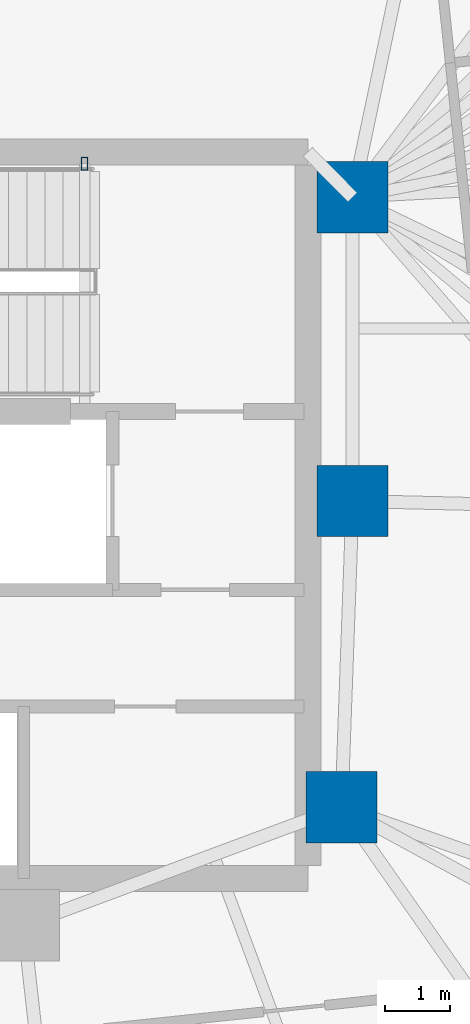
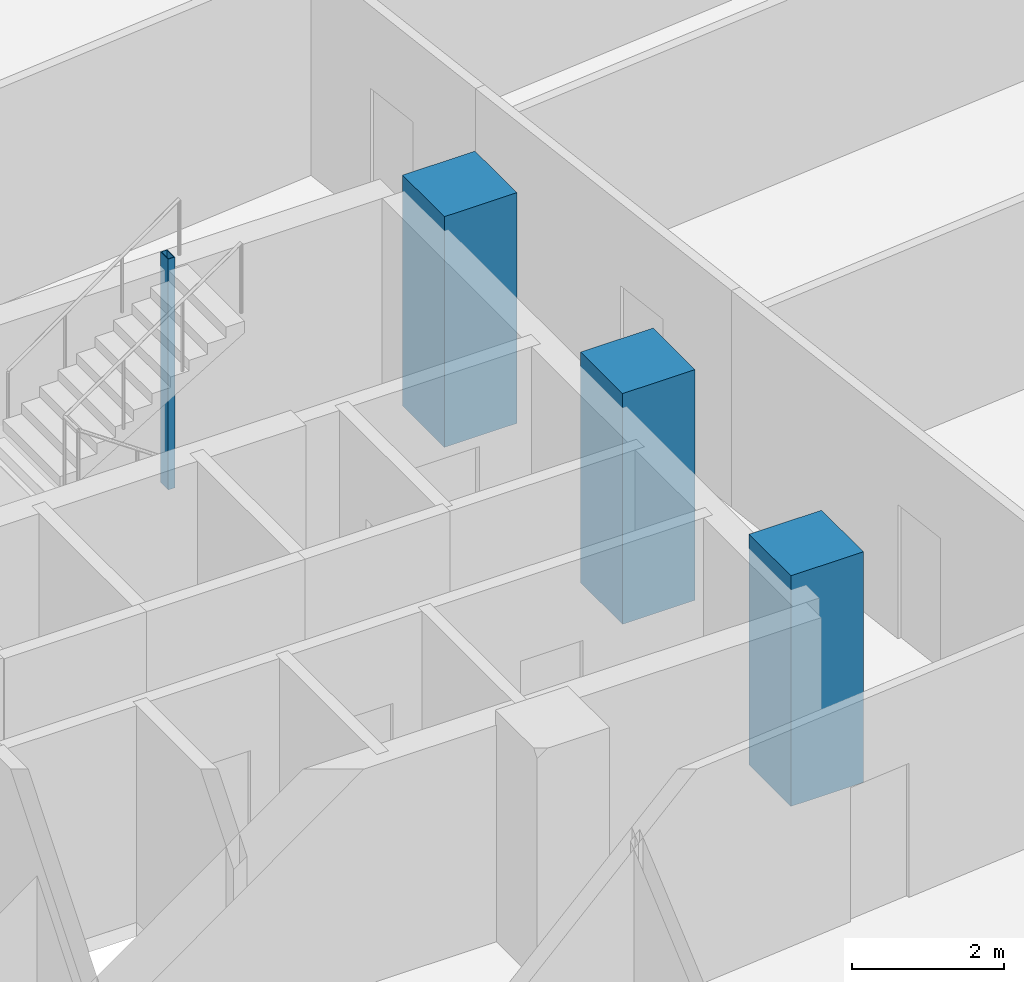
# One storey, part 4 of 18: 4 columns.
"""IFC4 building model written with IfcOpenShell, lengths in metres."""

import ifcopenshell
import ifcopenshell.guid

model = None  # the IFC model being written
_history = None  # IfcOwnerHistory: only IFC2X3 demands one
_inside = {}  # id of a spatial element -> (the spatial element, [elements in it])
_under = {}  # id of a project, library or spatial element -> (it, [spatial elements below it])
_declared = {}  # id of a project -> (the project, [libraries it declares])
_typed = {}  # id of a type object -> (the type object, [elements of that type])
_made_of = {}  # id of a material, layer set ... -> (it, [elements and type objects made of it])


def new_model(schema):
    """Start an empty IFC model of exactly this schema.

    Asked for "IFC4X3", IfcOpenShell would pick the latest addendum, in which some entities
    have other attributes; the version numbers below select the first issue.
    IFC2X3 requires an IfcOwnerHistory on every rooted entity: one is made here for all.
    """
    global model, _history
    if schema == "IFC4X3":
        model = ifcopenshell.file(schema_version=(4, 3, 0, 0))
    else:
        model = ifcopenshell.file(schema=schema)
    _inside.clear()
    _under.clear()
    _declared.clear()
    _typed.clear()
    _made_of.clear()
    _history = None
    if model.schema == "IFC2X3":
        org = make("IfcOrganization", Name="unknown")
        user = make(
            "IfcPersonAndOrganization",
            ThePerson=make("IfcPerson", FamilyName="unknown"),
            TheOrganization=org,
        )
        app = make(
            "IfcApplication",
            ApplicationDeveloper=org,
            Version="unknown",
            ApplicationFullName="unknown",
            ApplicationIdentifier="unknown",
        )
        _history = make(
            "IfcOwnerHistory",
            OwningUser=user,
            OwningApplication=app,
            ChangeAction="ADDED",
            CreationDate=0,
        )
    return model


def make(cls, **values):
    """One entity of the class cls with the attributes given. An attribute that is None is left unset."""
    return model.create_entity(
        cls, **{name: value for name, value in values.items() if value is not None}
    )


def rooted(cls, **values):
    """An entity with a GlobalId (a new one), such as an element, a storey or a relation."""
    return make(cls, GlobalId=ifcopenshell.guid.new(), OwnerHistory=_history, **values)


def si_unit(unit_type, name, prefix=None):
    """IfcSIUnit, for example si_unit("LENGTHUNIT", "METRE", prefix="MILLI")."""
    return make("IfcSIUnit", UnitType=unit_type, Prefix=prefix, Name=name)


def assignment(units):
    """IfcUnitAssignment: the units of a project."""
    return None if units is None else make("IfcUnitAssignment", Units=units)


def point(xyz):
    """IfcCartesianPoint."""
    return None if xyz is None else make("IfcCartesianPoint", Coordinates=xyz)


def direction(xyz):
    """IfcDirection."""
    return None if xyz is None else make("IfcDirection", DirectionRatios=xyz)


def frame(location, z_axis=None, x_axis=None):
    """IfcAxis2Placement3D, a coordinate frame: its origin and axes. An axis left out is left unset."""
    return make(
        "IfcAxis2Placement3D",
        Location=point(location),
        Axis=direction(z_axis),
        RefDirection=direction(x_axis),
    )


def frame_2d(location, x_axis=None):
    """IfcAxis2Placement2D, a coordinate frame in the plane: its origin and x axis."""
    return make(
        "IfcAxis2Placement2D", Location=point(location), RefDirection=direction(x_axis)
    )


def origin():
    """The frame at (0, 0, 0) with its axes left unset."""
    return frame((0.0, 0.0, 0.0))


def origin_2d():
    """The frame at (0, 0) in the plane with its x axis left unset."""
    return frame_2d((0.0, 0.0))


def place(relative_to, where):
    """IfcLocalPlacement: puts the frame where relative to a parent placement (None: the world)."""
    return make(
        "IfcLocalPlacement", PlacementRelTo=relative_to, RelativePlacement=where
    )


def context(
    kind, dimensions, precision=None, world=None, true_north=None, identifier=None
):
    """IfcGeometricRepresentationContext, for example the 3D "Model" context."""
    return make(
        "IfcGeometricRepresentationContext",
        ContextIdentifier=identifier,
        ContextType=kind,
        CoordinateSpaceDimension=dimensions,
        Precision=precision,
        WorldCoordinateSystem=world,
        TrueNorth=true_north,
    )


def subcontext(parent, identifier, kind, view, scale=None):
    """IfcGeometricRepresentationSubContext, for example "Body" below "Model"."""
    return make(
        "IfcGeometricRepresentationSubContext",
        ContextIdentifier=identifier,
        ContextType=kind,
        ParentContext=parent,
        TargetScale=scale,
        TargetView=view,
    )


def project(units=None, contexts=None):
    """IfcProject with its units and contexts."""
    return rooted(
        "IfcProject",
        Name="project",
        RepresentationContexts=contexts,
        UnitsInContext=assignment(units),
    )


def spatial(cls, under=None, at=None, **own):
    """A site, building, storey or space (cls), placed at a placement, below another one or the project."""
    s = rooted(cls, ObjectPlacement=at, **own)
    if under is not None:
        _under.setdefault(under.id(), (under, []))[1].append(s)
    return s


def profile(cls, at=None, kind="AREA", **sizes):
    """A parametric profile (cls). Its sizes go by their IFC names, for example OverallWidth=200.0."""
    return make(cls, ProfileType=kind, Position=at, **sizes)


def rectangle(**sizes):
    """IfcRectangleProfileDef."""
    return profile("IfcRectangleProfileDef", **sizes)


def hollow_rectangle(**sizes):
    """IfcRectangleHollowProfileDef."""
    return profile("IfcRectangleHollowProfileDef", **sizes)


def extrude(swept, where, along, depth):
    """IfcExtrudedAreaSolid: the profile swept, set in the frame where, extruded along a direction by depth."""
    return make(
        "IfcExtrudedAreaSolid",
        SweptArea=swept,
        Position=where,
        ExtrudedDirection=direction(along),
        Depth=depth,
    )


def shape(context_of_items, identifier, shape_type, items):
    """IfcShapeRepresentation: the items that make up one representation, for example the "Body"."""
    return make(
        "IfcShapeRepresentation",
        ContextOfItems=context_of_items,
        RepresentationIdentifier=identifier,
        RepresentationType=shape_type,
        Items=items,
    )


def material(Name=None, Category=None):
    """IfcMaterial."""
    return make("IfcMaterial", Name=Name, Category=Category)


def material_profile(
    of_material, cross_section, Name=None, Category=None, Priority=None
):
    """IfcMaterialProfile: a cross section and its material."""
    return make(
        "IfcMaterialProfile",
        Name=Name,
        Material=of_material,
        Profile=cross_section,
        Priority=Priority,
        Category=Category,
    )


def profile_set(profiles, Name=None, composite=None):
    """IfcMaterialProfileSet."""
    return make(
        "IfcMaterialProfileSet",
        Name=Name,
        MaterialProfiles=profiles,
        CompositeProfile=composite,
    )


def made_of(thing, what):
    """Note that an element or type object is made of a material, layer set ...; save() writes the relation."""
    if what is not None:
        _made_of.setdefault(what.id(), (what, []))[1].append(thing)
    return thing


def type_object(cls, material=None, **own):
    """A type object (cls), such as IfcWallType, which elements share."""
    return made_of(rooted(cls, **own), material)


def element(
    cls,
    number,
    at=None,
    inside=None,
    cuts=None,
    type_object=None,
    material=None,
    context=None,
    identifier="Body",
    shape_type=None,
    held_by="IfcProductDefinitionShape",
    body=None,
    shapes=None,
    **own,
):
    """One element of the class cls, such as IfcWall. Its Tag is "e" and its number.

    at: its placement. inside: the storey or other place that contains it. cuts: it is an
    opening in that element (IfcRelVoidsElement). A single representation is given by context,
    identifier, shape_type and body (its items); several are given by shapes. held_by: the class
    of the entity that holds the representations. save() writes the other relations.
    """
    e = rooted(cls, Tag="e%d" % number, ObjectPlacement=at, **own)
    if body is not None:
        shapes = [shape(context, identifier, shape_type, body)]
    if shapes is not None:
        e.Representation = make(held_by, Representations=shapes)
    if inside is not None:
        _inside.setdefault(inside.id(), (inside, []))[1].append(e)
    if cuts is not None:
        rooted(
            "IfcRelVoidsElement", RelatingBuildingElement=cuts, RelatedOpeningElement=e
        )
    if type_object is not None:
        _typed.setdefault(type_object.id(), (type_object, []))[1].append(e)
    return made_of(e, material)


def aggregate(whole, parts):
    """IfcRelAggregates: a whole, such as a stair, and the parts it consists of."""
    return rooted("IfcRelAggregates", RelatingObject=whole, RelatedObjects=parts)


def save(model, path):
    """Write the relations noted so far, then the file.

    IfcRelAggregates (storeys below a building ...), IfcRelContainedInSpatialStructure (elements
    in a storey), IfcRelDefinesByType, IfcRelAssociatesMaterial and IfcRelDeclares: one each for
    every whole, place, type object, material and project.
    """
    for whole, parts in _under.values():
        aggregate(whole, parts)
    for where, things in _inside.values():
        rooted(
            "IfcRelContainedInSpatialStructure",
            RelatedElements=things,
            RelatingStructure=where,
        )
    for kind, things in _typed.values():
        rooted("IfcRelDefinesByType", RelatedObjects=things, RelatingType=kind)
    for what, things in _made_of.values():
        rooted("IfcRelAssociatesMaterial", RelatedObjects=things, RelatingMaterial=what)
    for by, libraries in _declared.values():
        rooted("IfcRelDeclares", RelatingContext=by, RelatedDefinitions=libraries)
    model.write(path)


model = new_model("IFC4")

# Units and contexts
model_context = context("Model", 3, precision=1e-05, world=origin(), true_north=direction((0.0, 1.0)))
body_context = subcontext(model_context, "Body", "Model", "MODEL_VIEW")
ifc_project = project(units=[si_unit("LENGTHUNIT", "METRE"), si_unit("AREAUNIT", "SQUARE_METRE"), si_unit("VOLUMEUNIT", "CUBIC_METRE"), si_unit("PLANEANGLEUNIT", "RADIAN"), si_unit("MASSUNIT", "GRAM", prefix="KILO")], contexts=[model_context])

# Site, building, storey
site_placement = place(None, origin())
site = spatial("IfcSite", under=ifc_project, at=site_placement, CompositionType="ELEMENT")
building_placement = place(site_placement, origin())
building = spatial("IfcBuilding", under=site, at=building_placement, Name="Menara Jurai Vektor", CompositionType="ELEMENT")
storey_placement = place(building_placement, frame((0.0, 0.0, 124.39990234375)))
storey = spatial("IfcBuildingStorey", under=building, at=storey_placement, Name="L31", CompositionType="ELEMENT", Elevation=124.39990234375)

# Columns
ifc_material_1 = material(Name="Concrete C50/60", Category="concrete")
ifc_material_profile_1 = material_profile(ifc_material_1, rectangle(XDim=1.10009765625, YDim=1.10009765625, at=origin_2d()), Name="RC 1100x1100")
ifc_profile_set_1 = profile_set([ifc_material_profile_1], Name="Concrete C50/60")
column_type_1 = type_object("IfcColumnType", Name="STR-COL-RC1100", PredefinedType="COLUMN", material=ifc_profile_set_1)
for number, where, z_axis, x_axis, name in (
    (1, (15.25, 4.89990234375, 0.0), (0.0, 0.0, 1.0), (1.0, 0.0, 0.0), "Core Spine Column CE-NE L31"),
    (2, (15.25, 0.219970703125, 0.0), (0.0, 0.0, 1.0), (1.0, 0.0, 0.0), "Core Spine Column CE-EM L31"),
    (3, (15.080078125, -4.5, 0.0), (0.0, 0.0, 1.0), (1.0, 0.0, 0.0), "Core Spine Column CE-SE L31"),
):
    element("IfcColumn", number, at=place(storey_placement, frame(where, z_axis=z_axis, x_axis=x_axis)), inside=storey, type_object=column_type_1, Name=name, PredefinedType="COLUMN", context=body_context, shape_type="SweptSolid", body=[
        extrude(rectangle(XDim=1.10009765625, YDim=1.10009765625, at=origin_2d()), origin(), (0.0, 0.0, 1.0), 3.7001953125),
    ])
ifc_material_2 = material(Name="Steel S355", Category="steel")
ifc_material_profile_2 = material_profile(ifc_material_2, hollow_rectangle(XDim=0.10009765625, YDim=0.199951171875, WallThickness=0.008056640625, at=origin_2d()), Name="RHS 200x100x8")
ifc_profile_set_2 = profile_set([ifc_material_profile_2], Name="Steel S355")
column_type_2 = type_object("IfcColumnType", Name="STR-COL-STAIR", PredefinedType="COLUMN", material=ifc_profile_set_2)
column_placement = place(storey_placement, frame((11.1201171875, 5.419921875, 0.0), z_axis=(0.0, 0.0, 1.0), x_axis=(1.0, 0.0, 0.0)))
element("IfcColumn", 4, at=column_placement, inside=storey, type_object=column_type_2, Name="Stair Well Header Column ST2-P2 L31", PredefinedType="COLUMN", context=body_context, shape_type="SweptSolid", body=[
    extrude(hollow_rectangle(XDim=0.10009765625, YDim=0.199951171875, WallThickness=0.008056640625, at=origin_2d()), origin(), (0.0, 0.0, 1.0), 3.7001953125),
])

save(model, "model.ifc")
